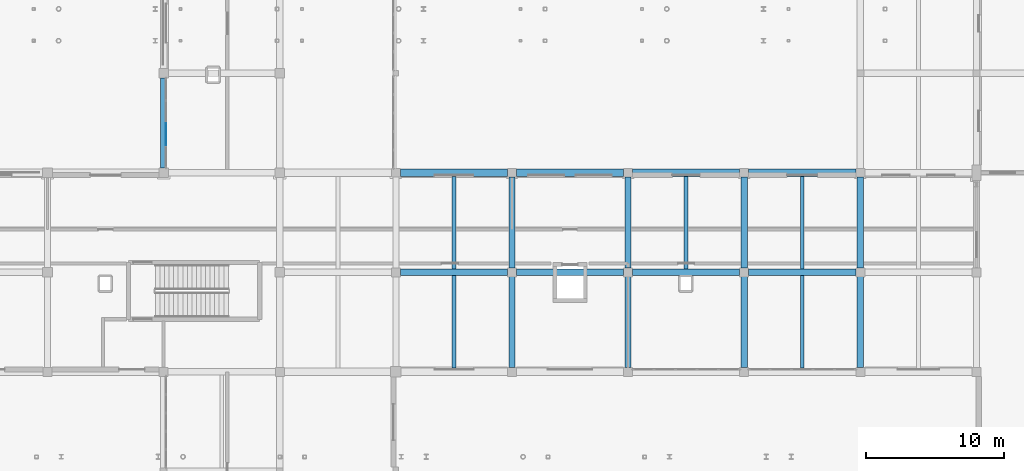
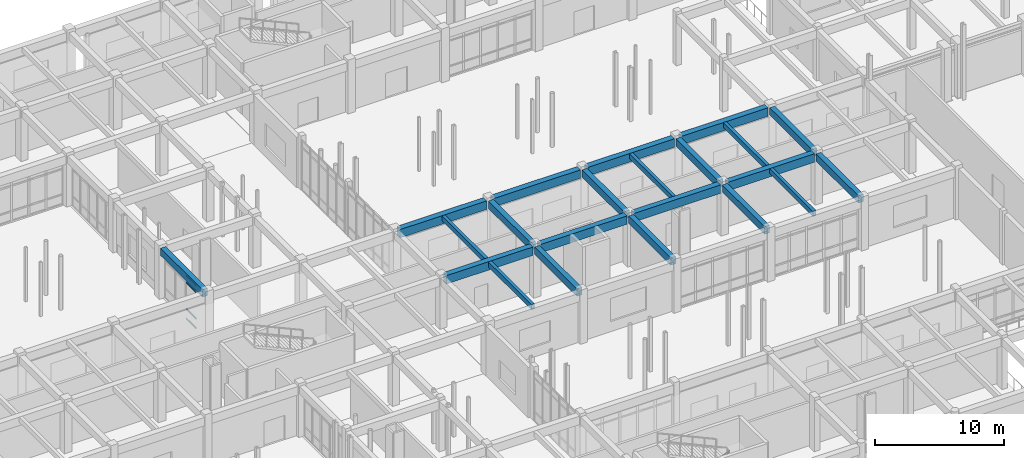
# One storey, part 54 of 121: 22 beams, 4 members, 1 element without a shape of its own.
"""IFC4 building model written with IfcOpenShell, lengths in metres."""

import ifcopenshell
import ifcopenshell.guid

model = None  # the IFC model being written
_history = None  # IfcOwnerHistory: only IFC2X3 demands one
_inside = {}  # id of a spatial element -> (the spatial element, [elements in it])
_under = {}  # id of a project, library or spatial element -> (it, [spatial elements below it])
_declared = {}  # id of a project -> (the project, [libraries it declares])
_typed = {}  # id of a type object -> (the type object, [elements of that type])
_made_of = {}  # id of a material, layer set ... -> (it, [elements and type objects made of it])


def new_model(schema):
    """Start an empty IFC model of exactly this schema.

    Asked for "IFC4X3", IfcOpenShell would pick the latest addendum, in which some entities
    have other attributes; the version numbers below select the first issue.
    IFC2X3 requires an IfcOwnerHistory on every rooted entity: one is made here for all.
    """
    global model, _history
    if schema == "IFC4X3":
        model = ifcopenshell.file(schema_version=(4, 3, 0, 0))
    else:
        model = ifcopenshell.file(schema=schema)
    _inside.clear()
    _under.clear()
    _declared.clear()
    _typed.clear()
    _made_of.clear()
    _history = None
    if model.schema == "IFC2X3":
        org = make("IfcOrganization", Name="unknown")
        user = make(
            "IfcPersonAndOrganization",
            ThePerson=make("IfcPerson", FamilyName="unknown"),
            TheOrganization=org,
        )
        app = make(
            "IfcApplication",
            ApplicationDeveloper=org,
            Version="unknown",
            ApplicationFullName="unknown",
            ApplicationIdentifier="unknown",
        )
        _history = make(
            "IfcOwnerHistory",
            OwningUser=user,
            OwningApplication=app,
            ChangeAction="ADDED",
            CreationDate=0,
        )
    return model


def make(cls, **values):
    """One entity of the class cls with the attributes given. An attribute that is None is left unset."""
    return model.create_entity(
        cls, **{name: value for name, value in values.items() if value is not None}
    )


def rooted(cls, **values):
    """An entity with a GlobalId (a new one), such as an element, a storey or a relation."""
    return make(cls, GlobalId=ifcopenshell.guid.new(), OwnerHistory=_history, **values)


def si_unit(unit_type, name, prefix=None):
    """IfcSIUnit, for example si_unit("LENGTHUNIT", "METRE", prefix="MILLI")."""
    return make("IfcSIUnit", UnitType=unit_type, Prefix=prefix, Name=name)


def assignment(units):
    """IfcUnitAssignment: the units of a project."""
    return None if units is None else make("IfcUnitAssignment", Units=units)


def point(xyz):
    """IfcCartesianPoint."""
    return None if xyz is None else make("IfcCartesianPoint", Coordinates=xyz)


def direction(xyz):
    """IfcDirection."""
    return None if xyz is None else make("IfcDirection", DirectionRatios=xyz)


def frame(location, z_axis=None, x_axis=None):
    """IfcAxis2Placement3D, a coordinate frame: its origin and axes. An axis left out is left unset."""
    return make(
        "IfcAxis2Placement3D",
        Location=point(location),
        Axis=direction(z_axis),
        RefDirection=direction(x_axis),
    )


def frame_2d(location, x_axis=None):
    """IfcAxis2Placement2D, a coordinate frame in the plane: its origin and x axis."""
    return make(
        "IfcAxis2Placement2D", Location=point(location), RefDirection=direction(x_axis)
    )


def origin():
    """The frame at (0, 0, 0) with its axes left unset."""
    return frame((0.0, 0.0, 0.0))


def origin_2d():
    """The frame at (0, 0) in the plane with its x axis left unset."""
    return frame_2d((0.0, 0.0))


def place(relative_to, where):
    """IfcLocalPlacement: puts the frame where relative to a parent placement (None: the world)."""
    return make(
        "IfcLocalPlacement", PlacementRelTo=relative_to, RelativePlacement=where
    )


def context(
    kind, dimensions, precision=None, world=None, true_north=None, identifier=None
):
    """IfcGeometricRepresentationContext, for example the 3D "Model" context."""
    return make(
        "IfcGeometricRepresentationContext",
        ContextIdentifier=identifier,
        ContextType=kind,
        CoordinateSpaceDimension=dimensions,
        Precision=precision,
        WorldCoordinateSystem=world,
        TrueNorth=true_north,
    )


def subcontext(parent, identifier, kind, view, scale=None):
    """IfcGeometricRepresentationSubContext, for example "Body" below "Model"."""
    return make(
        "IfcGeometricRepresentationSubContext",
        ContextIdentifier=identifier,
        ContextType=kind,
        ParentContext=parent,
        TargetScale=scale,
        TargetView=view,
    )


def project(units=None, contexts=None):
    """IfcProject with its units and contexts."""
    return rooted(
        "IfcProject",
        Name="project",
        RepresentationContexts=contexts,
        UnitsInContext=assignment(units),
    )


def spatial(cls, under=None, at=None, **own):
    """A site, building, storey or space (cls), placed at a placement, below another one or the project."""
    s = rooted(cls, ObjectPlacement=at, **own)
    if under is not None:
        _under.setdefault(under.id(), (under, []))[1].append(s)
    return s


def profile(cls, at=None, kind="AREA", **sizes):
    """A parametric profile (cls). Its sizes go by their IFC names, for example OverallWidth=200.0."""
    return make(cls, ProfileType=kind, Position=at, **sizes)


def rectangle(**sizes):
    """IfcRectangleProfileDef."""
    return profile("IfcRectangleProfileDef", **sizes)


def extrude(swept, where, along, depth):
    """IfcExtrudedAreaSolid: the profile swept, set in the frame where, extruded along a direction by depth."""
    return make(
        "IfcExtrudedAreaSolid",
        SweptArea=swept,
        Position=where,
        ExtrudedDirection=direction(along),
        Depth=depth,
    )


def shape(context_of_items, identifier, shape_type, items):
    """IfcShapeRepresentation: the items that make up one representation, for example the "Body"."""
    return make(
        "IfcShapeRepresentation",
        ContextOfItems=context_of_items,
        RepresentationIdentifier=identifier,
        RepresentationType=shape_type,
        Items=items,
    )


def material(Name=None, Category=None):
    """IfcMaterial."""
    return make("IfcMaterial", Name=Name, Category=Category)


def material_profile(
    of_material, cross_section, Name=None, Category=None, Priority=None
):
    """IfcMaterialProfile: a cross section and its material."""
    return make(
        "IfcMaterialProfile",
        Name=Name,
        Material=of_material,
        Profile=cross_section,
        Priority=Priority,
        Category=Category,
    )


def profile_set(profiles, Name=None, composite=None):
    """IfcMaterialProfileSet."""
    return make(
        "IfcMaterialProfileSet",
        Name=Name,
        MaterialProfiles=profiles,
        CompositeProfile=composite,
    )


def made_of(thing, what):
    """Note that an element or type object is made of a material, layer set ...; save() writes the relation."""
    if what is not None:
        _made_of.setdefault(what.id(), (what, []))[1].append(thing)
    return thing


def type_object(cls, material=None, **own):
    """A type object (cls), such as IfcWallType, which elements share."""
    return made_of(rooted(cls, **own), material)


def element(
    cls,
    number,
    at=None,
    inside=None,
    cuts=None,
    type_object=None,
    material=None,
    context=None,
    identifier="Body",
    shape_type=None,
    held_by="IfcProductDefinitionShape",
    body=None,
    shapes=None,
    **own,
):
    """One element of the class cls, such as IfcWall. Its Tag is "e" and its number.

    at: its placement. inside: the storey or other place that contains it. cuts: it is an
    opening in that element (IfcRelVoidsElement). A single representation is given by context,
    identifier, shape_type and body (its items); several are given by shapes. held_by: the class
    of the entity that holds the representations. save() writes the other relations.
    """
    e = rooted(cls, Tag="e%d" % number, ObjectPlacement=at, **own)
    if body is not None:
        shapes = [shape(context, identifier, shape_type, body)]
    if shapes is not None:
        e.Representation = make(held_by, Representations=shapes)
    if inside is not None:
        _inside.setdefault(inside.id(), (inside, []))[1].append(e)
    if cuts is not None:
        rooted(
            "IfcRelVoidsElement", RelatingBuildingElement=cuts, RelatedOpeningElement=e
        )
    if type_object is not None:
        _typed.setdefault(type_object.id(), (type_object, []))[1].append(e)
    return made_of(e, material)


def aggregate(whole, parts):
    """IfcRelAggregates: a whole, such as a stair, and the parts it consists of."""
    return rooted("IfcRelAggregates", RelatingObject=whole, RelatedObjects=parts)


def save(model, path):
    """Write the relations noted so far, then the file.

    IfcRelAggregates (storeys below a building ...), IfcRelContainedInSpatialStructure (elements
    in a storey), IfcRelDefinesByType, IfcRelAssociatesMaterial and IfcRelDeclares: one each for
    every whole, place, type object, material and project.
    """
    for whole, parts in _under.values():
        aggregate(whole, parts)
    for where, things in _inside.values():
        rooted(
            "IfcRelContainedInSpatialStructure",
            RelatedElements=things,
            RelatingStructure=where,
        )
    for kind, things in _typed.values():
        rooted("IfcRelDefinesByType", RelatedObjects=things, RelatingType=kind)
    for what, things in _made_of.values():
        rooted("IfcRelAssociatesMaterial", RelatedObjects=things, RelatingMaterial=what)
    for by, libraries in _declared.values():
        rooted("IfcRelDeclares", RelatingContext=by, RelatedDefinitions=libraries)
    model.write(path)


model = new_model("IFC4")

# Units and contexts
model_context = context("Model", 3, precision=1e-05, world=origin(), true_north=direction((0.0, 1.0)))
body_context = subcontext(model_context, "Body", "Model", "MODEL_VIEW")
ifc_project = project(units=[si_unit("LENGTHUNIT", "METRE"), si_unit("AREAUNIT", "SQUARE_METRE"), si_unit("VOLUMEUNIT", "CUBIC_METRE"), si_unit("PLANEANGLEUNIT", "RADIAN"), si_unit("MASSUNIT", "GRAM", prefix="KILO")], contexts=[model_context])

# Site, building, storey
site_placement = place(None, origin())
site = spatial("IfcSite", under=ifc_project, at=site_placement, CompositionType="ELEMENT")
building_placement = place(site_placement, origin())
building = spatial("IfcBuilding", under=site, at=building_placement, Name="Malvenik Polytechnic", CompositionType="ELEMENT")
storey_placement = place(building_placement, origin())
storey = spatial("IfcBuildingStorey", under=building, at=storey_placement, Name="L00", CompositionType="ELEMENT", Elevation=0.0)

# Curtain wall, members
ifc_material_1 = material(Name="Anodised aluminium 6060-T6", Category="aluminium")
curtain_wall_type = type_object("IfcCurtainWallType", Name="ARC-CW-CW-04", PredefinedType="NOTDEFINED", material=ifc_material_1)
curtain_wall_placement = place(storey_placement, origin())
curtain_wall = element("IfcCurtainWall", 1, at=curtain_wall_placement, inside=storey, type_object=curtain_wall_type, Name="Unitised Curtain Wall CW-04 L00 #8", PredefinedType="NOTDEFINED")
ifc_material_2 = material(Name="Anodised aluminium", Category="aluminium")
ifc_material_profile_1 = material_profile(ifc_material_2, rectangle(XDim=0.06005859375, YDim=0.139892578125, at=origin_2d()), Name="ALU TRANSOM 60x140")
ifc_profile_set_1 = profile_set([ifc_material_profile_1], Name="Anodised aluminium")
member_type = type_object("IfcMemberType", Name="ARC-CWT-140", PredefinedType="USERDEFINED", material=ifc_profile_set_1)
member_1_placement = place(storey_placement, frame((75.77001953125, 95.60400390625, 0.030029296875), z_axis=(0.0, 1.0, 0.0), x_axis=(-1.0, 0.0, 0.0)))
member_1 = element("IfcMember", 2, at=member_1_placement, type_object=member_type, Name="CW-04 transom 2.1", ObjectType="TRANSOM", PredefinedType="USERDEFINED", context=body_context, shape_type="SweptSolid", body=[
    extrude(rectangle(XDim=0.06005859375, YDim=0.139892578125, at=origin_2d()), origin(), (0.0, 0.0, 1.0), 1.56591796875),
])
member_2_placement = place(storey_placement, frame((75.77001953125, 95.60400390625, 0.949951171875), z_axis=(0.0, 1.0, 0.0), x_axis=(-1.0, 0.0, 0.0)))
member_2 = element("IfcMember", 3, at=member_2_placement, type_object=member_type, Name="CW-04 transom 2.2", ObjectType="TRANSOM", PredefinedType="USERDEFINED", context=body_context, shape_type="SweptSolid", body=[
    extrude(rectangle(XDim=0.06005859375, YDim=0.139892578125, at=origin_2d()), origin(), (0.0, 0.0, 1.0), 1.56591796875),
])
member_3_placement = place(storey_placement, frame((75.77001953125, 95.60400390625, 3.4599609375), z_axis=(0.0, 1.0, 0.0), x_axis=(-1.0, 0.0, 0.0)))
member_3 = element("IfcMember", 4, at=member_3_placement, type_object=member_type, Name="CW-04 transom 2.3", ObjectType="TRANSOM", PredefinedType="USERDEFINED", context=body_context, shape_type="SweptSolid", body=[
    extrude(rectangle(XDim=0.06005859375, YDim=0.139892578125, at=origin_2d()), origin(), (0.0, 0.0, 1.0), 1.56591796875),
])
member_4_placement = place(storey_placement, frame((75.77001953125, 95.60400390625, 4.080078125), z_axis=(0.0, 1.0, 0.0), x_axis=(-1.0, 0.0, 0.0)))
member_4 = element("IfcMember", 5, at=member_4_placement, type_object=member_type, Name="CW-04 transom 2.4", ObjectType="TRANSOM", PredefinedType="USERDEFINED", context=body_context, shape_type="SweptSolid", body=[
    extrude(rectangle(XDim=0.06005859375, YDim=0.139892578125, at=origin_2d()), origin(), (0.0, 0.0, 1.0), 1.56591796875),
])
aggregate(curtain_wall, [member_1, member_2, member_3, member_4])

# Beams
ifc_material_3 = material(Name="Concrete C35/45", Category="concrete")
ifc_material_profile_2 = material_profile(ifc_material_3, rectangle(XDim=0.5, YDim=0.800048828125, at=origin_2d()), Name="RC BM 500x800")
ifc_profile_set_2 = profile_set([ifc_material_profile_2], Name="Concrete C35/45")
beam_type_1 = type_object("IfcBeamType", Name="STR-BM-B-02", PredefinedType="BEAM", material=ifc_profile_set_2)
beam_1_placement = place(storey_placement, frame((92.722900390625, 86.39990234375, 4.419921875), z_axis=(1.0, 0.0, 0.0), x_axis=(0.0, 1.0, 0.0)))
element("IfcBeam", 6, at=beam_1_placement, inside=storey, type_object=beam_type_1, Name="Primary Beam B-02 L00 #635", PredefinedType="BEAM", context=body_context, shape_type="SweptSolid", body=[
    extrude(rectangle(XDim=0.5, YDim=0.800048828125, at=origin_2d()), origin(), (0.0, 0.0, 1.0), 7.754150390625),
])
beam_2_placement = place(storey_placement, frame((101.123046875, 86.39990234375, 4.419921875), z_axis=(1.0, 0.0, 0.0), x_axis=(0.0, 1.0, 0.0)))
element("IfcBeam", 7, at=beam_2_placement, inside=storey, type_object=beam_type_1, Name="Primary Beam B-02 L00 #636", PredefinedType="BEAM", context=body_context, shape_type="SweptSolid", body=[
    extrude(rectangle(XDim=0.5, YDim=0.800048828125, at=origin_2d()), origin(), (0.0, 0.0, 1.0), 7.75390625),
])
beam_3_placement = place(storey_placement, frame((109.52294921875, 86.39990234375, 4.419921875), z_axis=(1.0, 0.0, 0.0), x_axis=(0.0, 1.0, 0.0)))
element("IfcBeam", 8, at=beam_3_placement, inside=storey, type_object=beam_type_1, Name="Primary Beam B-02 L00 #637", PredefinedType="BEAM", context=body_context, shape_type="SweptSolid", body=[
    extrude(rectangle(XDim=0.5, YDim=0.800048828125, at=origin_2d()), origin(), (0.0, 0.0, 1.0), 7.754150390625),
])
beam_4_placement = place(storey_placement, frame((117.923095703125, 86.39990234375, 4.419921875), z_axis=(1.0, 0.0, 0.0), x_axis=(0.0, 1.0, 0.0)))
element("IfcBeam", 9, at=beam_4_placement, inside=storey, type_object=beam_type_1, Name="Primary Beam B-02 L00 #638", PredefinedType="BEAM", context=body_context, shape_type="SweptSolid", body=[
    extrude(rectangle(XDim=0.5, YDim=0.800048828125, at=origin_2d()), origin(), (0.0, 0.0, 1.0), 7.75390625),
])
ifc_material_profile_3 = material_profile(ifc_material_3, rectangle(XDim=0.449951171875, YDim=0.699951171875, at=origin_2d()), Name="RC BM 450x700")
ifc_profile_set_3 = profile_set([ifc_material_profile_3], Name="Concrete C35/45")
beam_type_2 = type_object("IfcBeamType", Name="STR-BM-B-04", PredefinedType="BEAM", material=ifc_profile_set_3)
beam_5_placement = place(storey_placement, frame((75.60009765625, 93.947998046875, 4.469970703125), z_axis=(0.0, 1.0, 0.0), x_axis=(-1.0, 0.0, 0.0)))
element("IfcBeam", 10, at=beam_5_placement, inside=storey, type_object=beam_type_2, Name="Transverse Beam B-04 L00 #774", PredefinedType="BEAM", context=body_context, shape_type="SweptSolid", body=[
    extrude(rectangle(XDim=0.449951171875, YDim=0.699951171875, at=origin_2d()), origin(), (0.0, 0.0, 1.0), 6.50390625),
])
beam_6_placement = place(storey_placement, frame((100.800048828125, 79.52294921875, 4.469970703125), z_axis=(0.0, 1.0, 0.0), x_axis=(-1.0, 0.0, 0.0)))
element("IfcBeam", 11, at=beam_6_placement, inside=storey, type_object=beam_type_2, Name="Transverse Beam B-04 L00 #804", PredefinedType="BEAM", context=body_context, shape_type="SweptSolid", body=[
    extrude(rectangle(XDim=0.449951171875, YDim=0.699951171875, at=origin_2d()), origin(), (0.0, 0.0, 1.0), 6.553955078125),
])
beam_7_placement = place(storey_placement, frame((100.800048828125, 86.722900390625, 4.469970703125), z_axis=(0.0, 1.0, 0.0), x_axis=(-1.0, 0.0, 0.0)))
element("IfcBeam", 12, at=beam_7_placement, inside=storey, type_object=beam_type_2, Name="Transverse Beam B-04 L00 #805", PredefinedType="BEAM", context=body_context, shape_type="SweptSolid", body=[
    extrude(rectangle(XDim=0.449951171875, YDim=0.699951171875, at=origin_2d()), origin(), (0.0, 0.0, 1.0), 6.55419921875),
])
beam_8_placement = place(storey_placement, frame((109.199951171875, 79.52294921875, 4.469970703125), z_axis=(0.0, 1.0, 0.0), x_axis=(-1.0, 0.0, 0.0)))
element("IfcBeam", 13, at=beam_8_placement, inside=storey, type_object=beam_type_2, Name="Transverse Beam B-04 L00 #808", PredefinedType="BEAM", context=body_context, shape_type="SweptSolid", body=[
    extrude(rectangle(XDim=0.449951171875, YDim=0.699951171875, at=origin_2d()), origin(), (0.0, 0.0, 1.0), 6.553955078125),
])
beam_9_placement = place(storey_placement, frame((109.199951171875, 86.722900390625, 4.469970703125), z_axis=(0.0, 1.0, 0.0), x_axis=(-1.0, 0.0, 0.0)))
element("IfcBeam", 14, at=beam_9_placement, inside=storey, type_object=beam_type_2, Name="Transverse Beam B-04 L00 #809", PredefinedType="BEAM", context=body_context, shape_type="SweptSolid", body=[
    extrude(rectangle(XDim=0.449951171875, YDim=0.699951171875, at=origin_2d()), origin(), (0.0, 0.0, 1.0), 6.55419921875),
])
beam_10_placement = place(storey_placement, frame((117.60009765625, 79.52294921875, 4.469970703125), z_axis=(0.0, 1.0, 0.0), x_axis=(-1.0, 0.0, 0.0)))
element("IfcBeam", 15, at=beam_10_placement, inside=storey, type_object=beam_type_2, Name="Transverse Beam B-04 L00 #819", PredefinedType="BEAM", context=body_context, shape_type="SweptSolid", body=[
    extrude(rectangle(XDim=0.449951171875, YDim=0.699951171875, at=origin_2d()), origin(), (0.0, 0.0, 1.0), 6.553955078125),
])
beam_11_placement = place(storey_placement, frame((117.60009765625, 86.722900390625, 4.469970703125), z_axis=(0.0, 1.0, 0.0), x_axis=(-1.0, 0.0, 0.0)))
element("IfcBeam", 16, at=beam_11_placement, inside=storey, type_object=beam_type_2, Name="Transverse Beam B-04 L00 #820", PredefinedType="BEAM", context=body_context, shape_type="SweptSolid", body=[
    extrude(rectangle(XDim=0.449951171875, YDim=0.699951171875, at=origin_2d()), origin(), (0.0, 0.0, 1.0), 6.55419921875),
])
beam_12_placement = place(storey_placement, frame((126.0, 79.52294921875, 4.469970703125), z_axis=(0.0, 1.0, 0.0), x_axis=(-1.0, 0.0, 0.0)))
element("IfcBeam", 17, at=beam_12_placement, inside=storey, type_object=beam_type_2, Name="Transverse Beam B-04 L00 #830", PredefinedType="BEAM", context=body_context, shape_type="SweptSolid", body=[
    extrude(rectangle(XDim=0.449951171875, YDim=0.699951171875, at=origin_2d()), origin(), (0.0, 0.0, 1.0), 6.553955078125),
])
beam_13_placement = place(storey_placement, frame((126.0, 86.722900390625, 4.469970703125), z_axis=(0.0, 1.0, 0.0), x_axis=(-1.0, 0.0, 0.0)))
element("IfcBeam", 18, at=beam_13_placement, inside=storey, type_object=beam_type_2, Name="Transverse Beam B-04 L00 #831", PredefinedType="BEAM", context=body_context, shape_type="SweptSolid", body=[
    extrude(rectangle(XDim=0.449951171875, YDim=0.699951171875, at=origin_2d()), origin(), (0.0, 0.0, 1.0), 6.55419921875),
])
ifc_material_4 = material(Name="Concrete C30/37", Category="concrete")
ifc_material_profile_4 = material_profile(ifc_material_4, rectangle(XDim=0.280029296875, YDim=0.47998046875, at=origin_2d()), Name="RC JST 280x480")
ifc_profile_set_4 = profile_set([ifc_material_profile_4], Name="Concrete C30/37")
beam_type_3 = type_object("IfcBeamType", Name="STR-BM-J-01", PredefinedType="JOIST", material=ifc_profile_set_4)
for number, where, z_axis, x_axis, name in (
    (19, (96.60009765625, 79.4580078125, 4.580078125), (0.0, 1.0, 0.0), (-1.0, 0.0, 0.0), "Secondary Rib Joist J-01 L00 #918"),
    (20, (96.60009765625, 86.64794921875, 4.580078125), (0.0, 1.0, 0.0), (-1.0, 0.0, 0.0), "Secondary Rib Joist J-01 L00 #919"),
    (21, (113.39990234375, 86.64794921875, 4.580078125), (0.0, 1.0, 0.0), (-1.0, 0.0, 0.0), "Secondary Rib Joist J-01 L00 #921"),
    (22, (121.800048828125, 79.4580078125, 4.580078125), (0.0, 1.0, 0.0), (-1.0, 0.0, 0.0), "Secondary Rib Joist J-01 L00 #929"),
    (23, (121.800048828125, 86.64794921875, 4.580078125), (0.0, 1.0, 0.0), (-1.0, 0.0, 0.0), "Secondary Rib Joist J-01 L00 #930"),
):
    element("IfcBeam", number, at=place(storey_placement, frame(where, z_axis=z_axis, x_axis=x_axis)), inside=storey, type_object=beam_type_3, Name=name, PredefinedType="JOIST", context=body_context, shape_type="SweptSolid", body=[
        extrude(rectangle(XDim=0.280029296875, YDim=0.47998046875, at=origin_2d()), origin(), (0.0, 0.0, 1.0), 6.694091796875),
    ])
ifc_material_5 = material(Name="Precast concrete C40/50", Category="concrete")
ifc_material_profile_5 = material_profile(ifc_material_5, rectangle(XDim=0.52001953125, YDim=0.800048828125, at=origin_2d()), Name="PC SPN 520x800")
ifc_profile_set_5 = profile_set([ifc_material_profile_5], Name="Precast concrete C40/50")
beam_type_4 = type_object("IfcBeamType", Name="STR-BM-SP-01", PredefinedType="SPANDREL", material=ifc_profile_set_5)
beam_14_placement = place(storey_placement, frame((92.722900390625, 93.60009765625, 4.419921875), z_axis=(1.0, 0.0, 0.0), x_axis=(0.0, 1.0, 0.0)))
element("IfcBeam", 24, at=beam_14_placement, inside=storey, type_object=beam_type_4, Name="Primary Beam SP-01 L00 #651", PredefinedType="SPANDREL", context=body_context, shape_type="SweptSolid", body=[
    extrude(rectangle(XDim=0.52001953125, YDim=0.800048828125, at=origin_2d()), origin(), (0.0, 0.0, 1.0), 7.754150390625),
])
beam_15_placement = place(storey_placement, frame((101.123046875, 93.60009765625, 4.419921875), z_axis=(1.0, 0.0, 0.0), x_axis=(0.0, 1.0, 0.0)))
element("IfcBeam", 25, at=beam_15_placement, inside=storey, type_object=beam_type_4, Name="Primary Beam SP-01 L00 #652", PredefinedType="SPANDREL", context=body_context, shape_type="SweptSolid", body=[
    extrude(rectangle(XDim=0.52001953125, YDim=0.800048828125, at=origin_2d()), origin(), (0.0, 0.0, 1.0), 7.75390625),
])
beam_16_placement = place(storey_placement, frame((109.52294921875, 93.60009765625, 4.419921875), z_axis=(1.0, 0.0, 0.0), x_axis=(0.0, 1.0, 0.0)))
element("IfcBeam", 26, at=beam_16_placement, inside=storey, type_object=beam_type_4, Name="Primary Beam SP-01 L00 #653", PredefinedType="SPANDREL", context=body_context, shape_type="SweptSolid", body=[
    extrude(rectangle(XDim=0.52001953125, YDim=0.800048828125, at=origin_2d()), origin(), (0.0, 0.0, 1.0), 7.754150390625),
])
beam_17_placement = place(storey_placement, frame((117.923095703125, 93.60009765625, 4.419921875), z_axis=(1.0, 0.0, 0.0), x_axis=(0.0, 1.0, 0.0)))
element("IfcBeam", 27, at=beam_17_placement, inside=storey, type_object=beam_type_4, Name="Primary Beam SP-01 L00 #654", PredefinedType="SPANDREL", context=body_context, shape_type="SweptSolid", body=[
    extrude(rectangle(XDim=0.52001953125, YDim=0.800048828125, at=origin_2d()), origin(), (0.0, 0.0, 1.0), 7.75390625),
])

save(model, "model.ifc")
